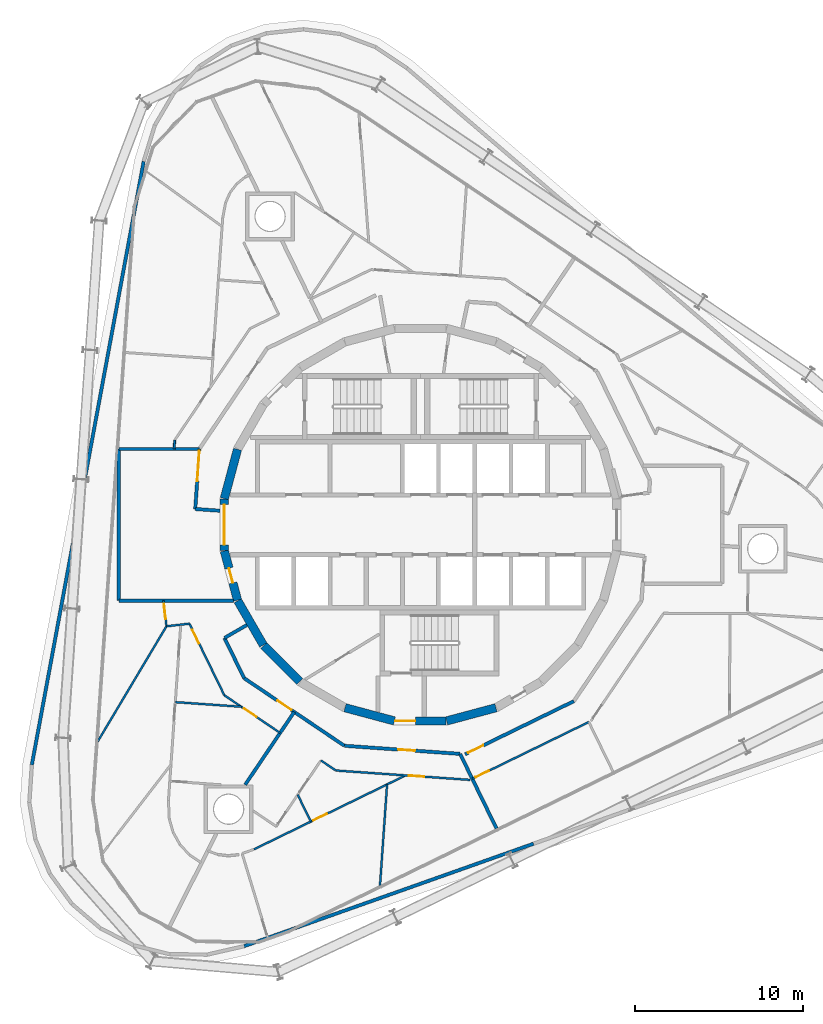
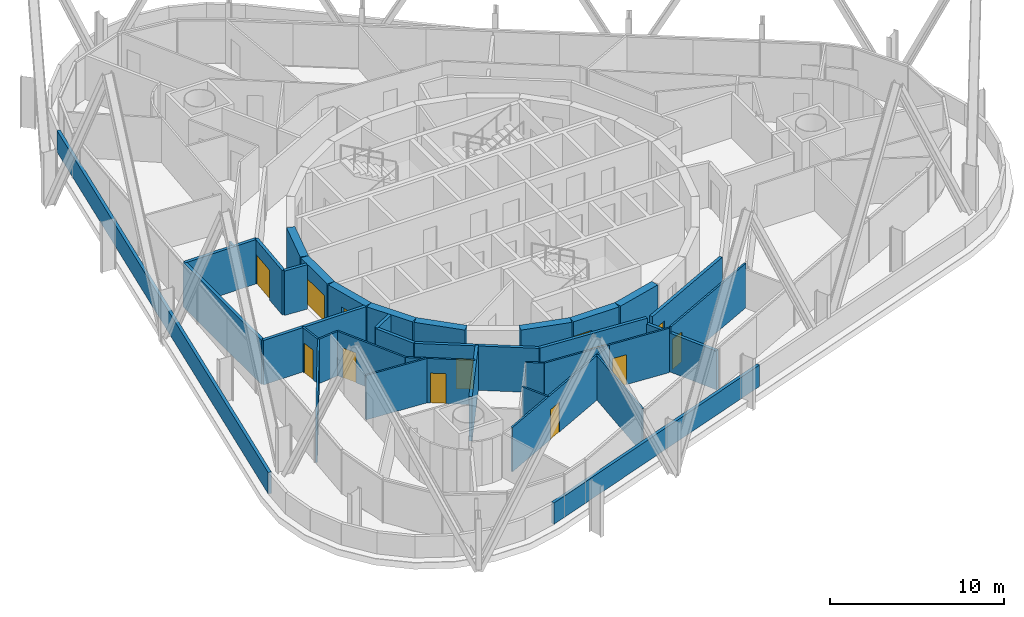
# One storey, part 12 of 18: 35 walls, 13 doors, 13 openings.
"""IFC4 building model written with IfcOpenShell, lengths in metres."""

from ifc_helpers import new_model, si_unit, direction, frame, frame_2d, origin, place, context, subcontext, project, spatial, rectangle, extrude, material, layer, layer_set, type_object, element, fill, save


model = new_model("IFC4")

# Units and contexts
model_context = context("Model", 3, precision=1e-05, world=origin(), true_north=direction((0.0, 1.0)))
body_context = subcontext(model_context, "Body", "Model", "MODEL_VIEW")
ifc_project = project(units=[si_unit("LENGTHUNIT", "METRE"), si_unit("AREAUNIT", "SQUARE_METRE"), si_unit("VOLUMEUNIT", "CUBIC_METRE"), si_unit("PLANEANGLEUNIT", "RADIAN"), si_unit("MASSUNIT", "GRAM", prefix="KILO")], contexts=[model_context])

# Site, building, storey
site_placement = place(None, origin())
site = spatial("IfcSite", under=ifc_project, at=site_placement, CompositionType="ELEMENT")
building_placement = place(site_placement, origin())
building = spatial("IfcBuilding", under=site, at=building_placement, Name="Spindle Arch Residences", CompositionType="ELEMENT")
storey_placement = place(building_placement, frame((0.0, 0.0, 188.39990234375)))
storey = spatial("IfcBuildingStorey", under=building, at=storey_placement, Name="L47", CompositionType="ELEMENT", Elevation=188.39990234375)

# Walls
ifc_material_1 = material(Name="Concrete C50/60", Category="concrete")
ifc_layer_1 = layer(ifc_material_1, 0.5)
ifc_layer_set_1 = layer_set([ifc_layer_1], Name="Core outline wall 500")
wall_type_1 = type_object("IfcWallType", Name="Core outline wall 500", PredefinedType="SHEAR", material=ifc_layer_set_1)
for number, where, z_axis, x_axis, name in (
    (1, (1.5498046875, -11.642822265625, 0.0), (0.0, 0.0, 1.0), (0.965948410781, 0.258734743916, 0.0), "Core outline wall 1"),
    (2, (-10.858154296875, 4.479248046875, 0.0), (0.0, 0.0, 1.0), (-0.258734743916, -0.965948410781, 0.0), "Core outline wall 17"),
):
    element("IfcWall", number, at=place(storey_placement, frame(where, z_axis=z_axis, x_axis=x_axis)), inside=storey, type_object=wall_type_1, Name=name, PredefinedType="SHEAR", context=body_context, shape_type="SweptSolid", body=[
        extrude(rectangle(XDim=3.03271484375, YDim=0.5, at=frame_2d((1.516357421875, 0.0))), origin(), (0.0, 0.0, 1.0), 3.1201171875),
    ])

# Wall, opening, door
wall_1_placement = place(storey_placement, frame((-11.647216796875, 1.516357421875, 0.0), z_axis=(0.0, 0.0, 1.0), x_axis=(0.0, -1.0, 0.0)))
wall_1 = element("IfcWall", 3, at=wall_1_placement, inside=storey, type_object=wall_type_1, Name="Core outline wall 18", PredefinedType="SHEAR", context=body_context, shape_type="SweptSolid", body=[
    extrude(rectangle(XDim=3.03271484375, YDim=0.5, at=frame_2d((1.516357421875, 0.0))), origin(), (0.0, 0.0, 1.0), 3.1201171875),
])
opening_1_placement = place(wall_1_placement, frame((0.31640625, 0.0, 0.0)))
opening_1 = element("IfcOpeningElement", 4, at=opening_1_placement, cuts=wall_1, Name="Opening R5A0-LE01", PredefinedType="OPENING", context=body_context, shape_type="SweptSolid", body=[
    extrude(rectangle(XDim=2.39990234375, YDim=2.10009765625, at=frame_2d((1.199951171875, 1.050048828125))), frame((0.0, 0.260009765625, 0.0), z_axis=(0.0, -1.0, 0.0), x_axis=(1.0, 0.0, 0.0)), (0.0, 0.0, 1.0), 0.52001953125),
])
ifc_material_2 = material(Name="Steel, fire-resisting door", Category="steel")
door_type_1 = type_object("IfcDoorType", Name="Lift lobby entrance door 2400x2100", OperationType="DOUBLE_DOOR_SINGLE_SWING", PredefinedType="DOOR", material=ifc_material_2)
door_1_placement = place(opening_1_placement, origin())
door_1 = element("IfcDoor", 5, at=door_1_placement, inside=storey, type_object=door_type_1, Name="Lift lobby entrance door R5A0-LE01", OperationType="DOUBLE_DOOR_SINGLE_SWING", OverallHeight=2.10009765625, OverallWidth=2.39990234375, PredefinedType="DOOR", context=body_context, shape_type="SweptSolid", body=[
    extrude(rectangle(XDim=2.39990234375, YDim=2.10009765625, at=frame_2d((1.199951171875, 1.050048828125))), frame((0.0, 0.02490234375, 0.0), z_axis=(0.0, -1.0, 0.0), x_axis=(1.0, 0.0, 0.0)), (0.0, 0.0, 1.0), 0.050048828125),
])
fill(opening_1, door_1)

wall_2_placement = place(storey_placement, frame((-11.642822265625, -1.5498046875, 0.0), z_axis=(0.0, 0.0, 1.0), x_axis=(0.258734743916, -0.965948410781, 0.0)))
wall_2 = element("IfcWall", 6, at=wall_2_placement, inside=storey, type_object=wall_type_1, Name="Core outline wall 19", PredefinedType="SHEAR", context=body_context, shape_type="SweptSolid", body=[
    extrude(rectangle(XDim=3.03271484375, YDim=0.5, at=frame_2d((1.516357421875, 0.0))), origin(), (0.0, 0.0, 1.0), 3.1201171875),
])
opening_2_placement = place(wall_2_placement, frame((1.06640625, 0.0, 0.0)))
opening_2 = element("IfcOpeningElement", 7, at=opening_2_placement, cuts=wall_2, Name="Opening R5A0-WD11", PredefinedType="OPENING", context=body_context, shape_type="SweptSolid", body=[
    extrude(rectangle(XDim=0.89990234375, YDim=2.10009765625, at=frame_2d((0.449951171875, 1.050048828125))), frame((0.0, 0.260009765625, 0.0), z_axis=(0.0, -1.0, 0.0), x_axis=(1.0, 0.0, 0.0)), (0.0, 0.0, 1.0), 0.52001953125),
])
ifc_material_3 = material(Name="Steel, fire-resisting door", Category="steel")
door_type_2 = type_object("IfcDoorType", Name="Service room door 900x2100", OperationType="SINGLE_SWING_LEFT", PredefinedType="DOOR", material=ifc_material_3)
door_2_placement = place(opening_2_placement, origin())
door_2 = element("IfcDoor", 8, at=door_2_placement, inside=storey, type_object=door_type_2, Name="Service room door R5A0-WD11", OperationType="SINGLE_SWING_LEFT", OverallHeight=2.10009765625, OverallWidth=0.89990234375, PredefinedType="DOOR", context=body_context, shape_type="SweptSolid", body=[
    extrude(rectangle(XDim=0.89990234375, YDim=2.10009765625, at=frame_2d((0.449951171875, 1.050048828125))), frame((0.0, 0.02490234375, 0.0), z_axis=(0.0, -1.0, 0.0), x_axis=(1.0, 0.0, 0.0)), (0.0, 0.0, 1.0), 0.050048828125),
])
fill(opening_2, door_2)

# Walls
wall_3_placement = place(storey_placement, frame((-10.84521484375, -4.510498046875, 0.0), z_axis=(0.0, 0.0, 1.0), x_axis=(0.500087131594, -0.865975092491, 0.0)))
element("IfcWall", 9, at=wall_3_placement, inside=storey, type_object=wall_type_1, Name="Core outline wall 20", PredefinedType="SHEAR", context=body_context, shape_type="SweptSolid", body=[
    extrude(rectangle(XDim=3.03271484375, YDim=0.5, at=frame_2d((1.516357421875, 0.0))), origin(), (0.0, 0.0, 1.0), 3.1201171875),
])
wall_4_placement = place(storey_placement, frame((-9.30810546875, -7.163818359375, 0.0), z_axis=(0.0, 0.0, 1.0), x_axis=(0.707106781187, -0.707106781187, 0.0)))
element("IfcWall", 10, at=wall_4_placement, inside=storey, type_object=wall_type_1, Name="Core outline wall 21", PredefinedType="SHEAR", context=body_context, shape_type="SweptSolid", body=[
    extrude(rectangle(XDim=3.032470703125, YDim=0.5, at=frame_2d((1.51611328125, 0.0))), origin(), (0.0, 0.0, 1.0), 3.1201171875),
])
wall_5_placement = place(storey_placement, frame((-4.479248046875, -10.858154296875, 0.0), z_axis=(0.0, 0.0, 1.0), x_axis=(0.965948410781, -0.258734743916, 0.0)))
element("IfcWall", 11, at=wall_5_placement, inside=storey, type_object=wall_type_1, Name="Core outline wall 23", PredefinedType="SHEAR", context=body_context, shape_type="SweptSolid", body=[
    extrude(rectangle(XDim=3.03271484375, YDim=0.5, at=frame_2d((1.516357421875, 0.0))), origin(), (0.0, 0.0, 1.0), 3.1201171875),
])

# Wall, opening, door
wall_6_placement = place(storey_placement, frame((-1.516357421875, -11.647216796875, 0.0), z_axis=(0.0, 0.0, 1.0), x_axis=(1.0, 0.0, 0.0)))
wall_6 = element("IfcWall", 12, at=wall_6_placement, inside=storey, type_object=wall_type_1, Name="Core outline wall 24", PredefinedType="SHEAR", context=body_context, shape_type="SweptSolid", body=[
    extrude(rectangle(XDim=3.03271484375, YDim=0.5, at=frame_2d((1.516357421875, 0.0))), origin(), (0.0, 0.0, 1.0), 3.1201171875),
])
opening_3_placement = place(wall_6_placement, frame((0.016357421875, 0.0, 0.0)))
opening_3 = element("IfcOpeningElement", 13, at=opening_3_placement, cuts=wall_6, Name="Opening R5A0-AD03", PredefinedType="OPENING", context=body_context, shape_type="SweptSolid", body=[
    extrude(rectangle(XDim=1.199951171875, YDim=2.10009765625, at=frame_2d((0.60009765625, 1.050048828125))), frame((0.0, 0.260009765625, 0.0), z_axis=(0.0, -1.0, 0.0), x_axis=(1.0, 0.0, 0.0)), (0.0, 0.0, 1.0), 0.52001953125),
])
ifc_material_4 = material(Name="Steel, fire-resisting door", Category="steel")
door_type_3 = type_object("IfcDoorType", Name="Stair airlock door 1200x2100", OperationType="SINGLE_SWING_LEFT", PredefinedType="DOOR", material=ifc_material_4)
door_3_placement = place(opening_3_placement, origin())
door_3 = element("IfcDoor", 14, at=door_3_placement, inside=storey, type_object=door_type_3, Name="Stair airlock door R5A0-AD03", OperationType="SINGLE_SWING_RIGHT", OverallHeight=2.10009765625, OverallWidth=1.199951171875, PredefinedType="DOOR", context=body_context, shape_type="SweptSolid", body=[
    extrude(rectangle(XDim=1.199951171875, YDim=2.10009765625, at=frame_2d((0.60009765625, 1.050048828125))), frame((0.0, 0.02490234375, 0.0), z_axis=(0.0, -1.0, 0.0), x_axis=(1.0, 0.0, 0.0)), (0.0, 0.0, 1.0), 0.050048828125),
])
fill(opening_3, door_3)

# Walls
ifc_material_5 = material(Name="Calcium silicate block, plastered")
ifc_layer_2 = layer(ifc_material_5, 0.199951171875)
ifc_layer_set_2 = layer_set([ifc_layer_2], Name="Corridor wall 200")
wall_type_2 = type_object("IfcWallType", Name="Corridor wall 200", PredefinedType="STANDARD", material=ifc_layer_set_2)
wall_7_placement = place(storey_placement, frame((-10.303466796875, -5.94873046875, 0.0), z_axis=(0.0, 0.0, 1.0), x_axis=(-0.866042588199, -0.499970234539, 0.0)))
element("IfcWall", 15, at=wall_7_placement, inside=storey, type_object=wall_type_2, Name="Corridor wall R5A0-W015", PredefinedType="STANDARD", context=body_context, shape_type="SweptSolid", body=[
    extrude(rectangle(XDim=1.53515625, YDim=0.199951171875, at=frame_2d((0.767578125, 0.0))), origin(), (0.0, 0.0, 1.0), 3.1201171875),
])
wall_8_placement = place(storey_placement, frame((-11.633056640625, -6.71630859375, 0.0), z_axis=(0.0, 0.0, 1.0), x_axis=(0.438322116278, -0.898817958422, 0.0)))
element("IfcWall", 16, at=wall_8_placement, inside=storey, type_object=wall_type_2, Name="Corridor wall R5A0-W016", PredefinedType="STANDARD", context=body_context, shape_type="SweptSolid", body=[
    extrude(rectangle(XDim=2.653564453125, YDim=0.199951171875, at=frame_2d((1.32666015625, 0.0))), origin(), (0.0, 0.0, 1.0), 3.1201171875),
])

# Wall, opening, door
wall_9_placement = place(storey_placement, frame((-10.469970703125, -9.101318359375, 0.0), z_axis=(0.0, 0.0, 1.0), x_axis=(0.829035841718, -0.559195469534, 0.0)))
wall_9 = element("IfcWall", 17, at=wall_9_placement, inside=storey, type_object=wall_type_2, Name="Corridor wall R5A0-W017", PredefinedType="STANDARD", context=body_context, shape_type="SweptSolid", body=[
    extrude(rectangle(XDim=7.18115234375, YDim=0.199951171875, at=frame_2d((3.590576171875, 0.0))), origin(), (0.0, 0.0, 1.0), 3.1201171875),
])
opening_4_placement = place(wall_9_placement, frame((2.390380859375, 0.0, 0.0)))
opening_4 = element("IfcOpeningElement", 18, at=opening_4_placement, cuts=wall_9, Name="Opening R5A0-FD04", PredefinedType="OPENING", context=body_context, shape_type="SweptSolid", body=[
    extrude(rectangle(XDim=1.0, YDim=2.10009765625, at=frame_2d((0.5, 1.050048828125))), frame((0.0, 0.10986328125, 0.0), z_axis=(0.0, -1.0, 0.0), x_axis=(1.0, 0.0, 0.0)), (0.0, 0.0, 1.0), 0.219970703125),
])
ifc_material_6 = material(Name="Timber, fire-resisting door set", Category="wood")
door_type_4 = type_object("IfcDoorType", Name="Flat entrance door 1000x2100", OperationType="NOTDEFINED", PredefinedType="DOOR", material=ifc_material_6)
door_4_placement = place(opening_4_placement, origin())
door_4 = element("IfcDoor", 19, at=door_4_placement, inside=storey, type_object=door_type_4, Name="Flat entrance door R5A0-FD04", OperationType="SINGLE_SWING_RIGHT", OverallHeight=2.10009765625, OverallWidth=1.0, PredefinedType="DOOR", context=body_context, shape_type="SweptSolid", body=[
    extrude(rectangle(XDim=1.0, YDim=2.10009765625, at=frame_2d((0.5, 1.050048828125))), frame((0.0, 0.02490234375, 0.0), z_axis=(0.0, -1.0, 0.0), x_axis=(1.0, 0.0, 0.0)), (0.0, 0.0, 1.0), 0.050048828125),
])
fill(opening_4, door_4)

wall_10_placement = place(storey_placement, frame((-4.5166015625, -13.116943359375, 0.0), z_axis=(0.0, 0.0, 1.0), x_axis=(0.997564669554, -0.069747616856, 0.0)))
wall_10 = element("IfcWall", 20, at=wall_10_placement, inside=storey, type_object=wall_type_2, Name="Corridor wall R5A0-W018", PredefinedType="STANDARD", context=body_context, shape_type="SweptSolid", body=[
    extrude(rectangle(XDim=6.88525390625, YDim=0.199951171875, at=frame_2d((3.442626953125, 0.0))), origin(), (0.0, 0.0, 1.0), 3.1201171875),
])
opening_5_placement = place(wall_10_placement, frame((3.199951171875, 0.0, 0.0)))
opening_5 = element("IfcOpeningElement", 21, at=opening_5_placement, cuts=wall_10, Name="Opening R5A0-FD05", PredefinedType="OPENING", context=body_context, shape_type="SweptSolid", body=[
    extrude(rectangle(XDim=1.0, YDim=2.10009765625, at=frame_2d((0.5, 1.050048828125))), frame((0.0, 0.10986328125, 0.0), z_axis=(0.0, -1.0, 0.0), x_axis=(1.0, 0.0, 0.0)), (0.0, 0.0, 1.0), 0.219970703125),
])
door_5_placement = place(opening_5_placement, origin())
door_5 = element("IfcDoor", 22, at=door_5_placement, inside=storey, type_object=door_type_4, Name="Flat entrance door R5A0-FD05", OperationType="SINGLE_SWING_LEFT", OverallHeight=2.10009765625, OverallWidth=1.0, PredefinedType="DOOR", context=body_context, shape_type="SweptSolid", body=[
    extrude(rectangle(XDim=1.0, YDim=2.10009765625, at=frame_2d((0.5, 1.050048828125))), frame((0.0, 0.02490234375, 0.0), z_axis=(0.0, -1.0, 0.0), x_axis=(1.0, 0.0, 0.0)), (0.0, 0.0, 1.0), 0.050048828125),
])
fill(opening_5, door_5)

wall_11_placement = place(storey_placement, frame((2.64697265625, -13.617919921875, 0.0), z_axis=(0.0, 0.0, 1.0), x_axis=(0.898796543751, 0.438366026218, 0.0)))
wall_11 = element("IfcWall", 23, at=wall_11_placement, inside=storey, type_object=wall_type_2, Name="Corridor wall R5A0-W019", PredefinedType="STANDARD", context=body_context, shape_type="SweptSolid", body=[
    extrude(rectangle(XDim=7.18115234375, YDim=0.199951171875, at=frame_2d((3.590576171875, 0.0))), origin(), (0.0, 0.0, 1.0), 3.1201171875),
])
opening_6_placement = place(wall_11_placement, frame((0.199951171875, 0.0, 0.0)))
opening_6 = element("IfcOpeningElement", 24, at=opening_6_placement, cuts=wall_11, Name="Opening R5A0-FD06", PredefinedType="OPENING", context=body_context, shape_type="SweptSolid", body=[
    extrude(rectangle(XDim=1.0, YDim=2.10009765625, at=frame_2d((0.5, 1.050048828125))), frame((0.0, 0.10986328125, 0.0), z_axis=(0.0, -1.0, 0.0), x_axis=(1.0, 0.0, 0.0)), (0.0, 0.0, 1.0), 0.219970703125),
])
door_6_placement = place(opening_6_placement, origin())
door_6 = element("IfcDoor", 25, at=door_6_placement, inside=storey, type_object=door_type_4, Name="Flat entrance door R5A0-FD06", OperationType="SINGLE_SWING_LEFT", OverallHeight=2.10009765625, OverallWidth=1.0, PredefinedType="DOOR", context=body_context, shape_type="SweptSolid", body=[
    extrude(rectangle(XDim=1.0, YDim=2.10009765625, at=frame_2d((0.5, 1.050048828125))), frame((0.0, 0.02490234375, 0.0), z_axis=(0.0, -1.0, 0.0), x_axis=(1.0, 0.0, 0.0)), (0.0, 0.0, 1.0), 0.050048828125),
])
fill(opening_6, door_6)

# Wall
ifc_material_7 = material(Name="Plasterboard on steel studs", Category="steel")
ifc_layer_3 = layer(ifc_material_7, 0.1201171875)
ifc_layer_set_3 = layer_set([ifc_layer_3], Name="Flat partition 120")
wall_type_3 = type_object("IfcWallType", Name="Flat partition 120", PredefinedType="PARTITIONING", material=ifc_layer_set_3)
wall_12_placement = place(storey_placement, frame((-14.585205078125, 5.022216796875, 0.0), z_axis=(0.0, 0.0, 1.0), x_axis=(-0.069490327804, -0.997582625321, 0.0)))
element("IfcWall", 26, at=wall_12_placement, inside=storey, type_object=wall_type_3, Name="Flat partition R5A0-W062", PredefinedType="PARTITIONING", context=body_context, shape_type="SweptSolid", body=[
    extrude(rectangle(XDim=0.5234375, YDim=0.1201171875, at=frame_2d((0.26171875, 0.0))), origin(), (0.0, 0.0, 1.0), 3.1201171875),
])

# Wall, opening, door
wall_13_placement = place(storey_placement, frame((-15.24951171875, -4.5, 0.0), z_axis=(0.0, 0.0, 1.0), x_axis=(0.1124919794, -0.99365263275, 0.0)))
wall_13 = element("IfcWall", 27, at=wall_13_placement, inside=storey, type_object=wall_type_3, Name="Flat partition R5A0-W072", PredefinedType="PARTITIONING", context=body_context, shape_type="SweptSolid", body=[
    extrude(rectangle(XDim=1.534423828125, YDim=0.1201171875, at=frame_2d((0.76708984375, 0.0))), origin(), (0.0, 0.0, 1.0), 3.1201171875),
])
opening_7_placement = place(wall_13_placement, frame((0.199951171875, 0.0, 0.0)))
opening_7 = element("IfcOpeningElement", 28, at=opening_7_placement, cuts=wall_13, Name="Opening R5A0-ID14", PredefinedType="OPENING", context=body_context, shape_type="SweptSolid", body=[
    extrude(rectangle(XDim=0.89990234375, YDim=2.10009765625, at=frame_2d((0.449951171875, 1.050048828125))), frame((0.0, 0.070068359375, 0.0), z_axis=(0.0, -1.0, 0.0), x_axis=(1.0, 0.0, 0.0)), (0.0, 0.0, 1.0), 0.14013671875),
])
ifc_material_8 = material(Name="Timber door set", Category="wood")
door_type_5 = type_object("IfcDoorType", Name="Room door 900x2100", OperationType="NOTDEFINED", PredefinedType="DOOR", material=ifc_material_8)
door_7_placement = place(opening_7_placement, origin())
door_7 = element("IfcDoor", 29, at=door_7_placement, inside=storey, type_object=door_type_5, Name="Room door R5A0-ID14", OperationType="SINGLE_SWING_RIGHT", OverallHeight=2.10009765625, OverallWidth=0.89990234375, PredefinedType="DOOR", context=body_context, shape_type="SweptSolid", body=[
    extrude(rectangle(XDim=0.89990234375, YDim=2.10009765625, at=frame_2d((0.449951171875, 1.050048828125))), frame((0.0, 0.02490234375, 0.0), z_axis=(0.0, -1.0, 0.0), x_axis=(1.0, 0.0, 0.0)), (0.0, 0.0, 1.0), 0.050048828125),
])
fill(opening_7, door_7)

# Wall
wall_14_placement = place(storey_placement, frame((-15.076904296875, -6.024658203125, 0.0), z_axis=(0.0, 0.0, 1.0), x_axis=(0.993646958109, 0.112542092746, 0.0)))
element("IfcWall", 30, at=wall_14_placement, inside=storey, type_object=wall_type_3, Name="Flat partition R5A0-W073", PredefinedType="PARTITIONING", context=body_context, shape_type="SweptSolid", body=[
    extrude(rectangle(XDim=1.37109375, YDim=0.1201171875, at=frame_2d((0.685546875, 0.0))), origin(), (0.0, 0.0, 1.0), 3.1201171875),
])

# Wall, opening, door
wall_15_placement = place(storey_placement, frame((-13.714599609375, -5.870361328125, 0.0), z_axis=(0.0, 0.0, 1.0), x_axis=(0.438372766482, -0.89879325632, 0.0)))
wall_15 = element("IfcWall", 31, at=wall_15_placement, inside=storey, type_object=wall_type_3, Name="Flat partition R5A0-W074", PredefinedType="PARTITIONING", context=body_context, shape_type="SweptSolid", body=[
    extrude(rectangle(XDim=4.728271484375, YDim=0.1201171875, at=frame_2d((2.3642578125, 0.0))), origin(), (0.0, 0.0, 1.0), 3.1201171875),
])
opening_8_placement = place(wall_15_placement, frame((0.39990234375, 0.0, 0.0)))
opening_8 = element("IfcOpeningElement", 32, at=opening_8_placement, cuts=wall_15, Name="Opening R5A0-ID15", PredefinedType="OPENING", context=body_context, shape_type="SweptSolid", body=[
    extrude(rectangle(XDim=0.89990234375, YDim=2.10009765625, at=frame_2d((0.449951171875, 1.050048828125))), frame((0.0, 0.070068359375, 0.0), z_axis=(0.0, -1.0, 0.0), x_axis=(1.0, 0.0, 0.0)), (0.0, 0.0, 1.0), 0.14013671875),
])
door_8_placement = place(opening_8_placement, origin())
door_8 = element("IfcDoor", 33, at=door_8_placement, inside=storey, type_object=door_type_5, Name="Room door R5A0-ID15", OperationType="SINGLE_SWING_RIGHT", OverallHeight=2.10009765625, OverallWidth=0.89990234375, PredefinedType="DOOR", context=body_context, shape_type="SweptSolid", body=[
    extrude(rectangle(XDim=0.89990234375, YDim=2.10009765625, at=frame_2d((0.449951171875, 1.050048828125))), frame((0.0, 0.02490234375, 0.0), z_axis=(0.0, -1.0, 0.0), x_axis=(1.0, 0.0, 0.0)), (0.0, 0.0, 1.0), 0.050048828125),
])
fill(opening_8, door_8)

wall_16_placement = place(storey_placement, frame((-11.641845703125, -10.1201171875, 0.0), z_axis=(0.0, 0.0, 1.0), x_axis=(0.829018066952, -0.559221820629, 0.0)))
wall_16 = element("IfcWall", 34, at=wall_16_placement, inside=storey, type_object=wall_type_3, Name="Flat partition R5A0-W075", PredefinedType="PARTITIONING", context=body_context, shape_type="SweptSolid", body=[
    extrude(rectangle(XDim=3.992431640625, YDim=0.1201171875, at=frame_2d((1.99609375, 0.0))), origin(), (0.0, 0.0, 1.0), 3.1201171875),
])
opening_9_placement = place(wall_16_placement, frame((1.4169921875, 0.0, 0.0)))
opening_9 = element("IfcOpeningElement", 35, at=opening_9_placement, cuts=wall_16, Name="Opening R5A0-ID16", PredefinedType="OPENING", context=body_context, shape_type="SweptSolid", body=[
    extrude(rectangle(XDim=0.89990234375, YDim=2.10009765625, at=frame_2d((0.449951171875, 1.050048828125))), frame((0.0, 0.070068359375, 0.0), z_axis=(0.0, -1.0, 0.0), x_axis=(1.0, 0.0, 0.0)), (0.0, 0.0, 1.0), 0.14013671875),
])
door_9_placement = place(opening_9_placement, origin())
door_9 = element("IfcDoor", 36, at=door_9_placement, inside=storey, type_object=door_type_5, Name="Room door R5A0-ID16", OperationType="SINGLE_SWING_RIGHT", OverallHeight=2.10009765625, OverallWidth=0.89990234375, PredefinedType="DOOR", context=body_context, shape_type="SweptSolid", body=[
    extrude(rectangle(XDim=0.89990234375, YDim=2.10009765625, at=frame_2d((0.449951171875, 1.050048828125))), frame((0.0, 0.02490234375, 0.0), z_axis=(0.0, -1.0, 0.0), x_axis=(1.0, 0.0, 0.0)), (0.0, 0.0, 1.0), 0.050048828125),
])
fill(opening_9, door_9)

# Walls
wall_17_placement = place(storey_placement, frame((-19.156494140625, -12.86328125, 0.0), z_axis=(0.0, 0.0, 1.0), x_axis=(0.512316386407, 0.858796786335, 0.0)))
element("IfcWall", 37, at=wall_17_placement, inside=storey, type_object=wall_type_3, Name="Flat partition R5A0-W076", PredefinedType="PARTITIONING", context=body_context, shape_type="SweptSolid", body=[
    extrude(rectangle(XDim=7.963134765625, YDim=0.1201171875, at=frame_2d((3.9814453125, 0.0))), origin(), (0.0, 0.0, 1.0), 3.1201171875),
])
wall_18_placement = place(storey_placement, frame((-14.550537109375, -10.526611328125, 0.0), z_axis=(0.0, 0.0, 1.0), x_axis=(0.997564247633, -0.069753651118, 0.0)))
element("IfcWall", 38, at=wall_18_placement, inside=storey, type_object=wall_type_3, Name="Flat partition R5A0-W078", PredefinedType="PARTITIONING", context=body_context, shape_type="SweptSolid", body=[
    extrude(rectangle(XDim=3.927001953125, YDim=0.1201171875, at=frame_2d((1.96337890625, 0.0))), origin(), (0.0, 0.0, 1.0), 3.1201171875),
])
wall_19_placement = place(storey_placement, frame((-5.911865234375, -13.985107421875, 0.0), z_axis=(0.0, 0.0, 1.0), x_axis=(0.829027978444, -0.559207127062, 0.0)))
element("IfcWall", 39, at=wall_19_placement, inside=storey, type_object=wall_type_3, Name="Flat partition R5A0-W088", PredefinedType="PARTITIONING", context=body_context, shape_type="SweptSolid", body=[
    extrude(rectangle(XDim=1.0732421875, YDim=0.1201171875, at=frame_2d((0.53662109375, 0.0))), origin(), (0.0, 0.0, 1.0), 3.1201171875),
])

# Wall, opening, door
wall_20_placement = place(storey_placement, frame((-5.022216796875, -14.585205078125, 0.0), z_axis=(0.0, 0.0, 1.0), x_axis=(0.997565118395, -0.069741197017, 0.0)))
wall_20 = element("IfcWall", 40, at=wall_20_placement, inside=storey, type_object=wall_type_3, Name="Flat partition R5A0-W089", PredefinedType="PARTITIONING", context=body_context, shape_type="SweptSolid", body=[
    extrude(rectangle(XDim=7.985107421875, YDim=0.1201171875, at=frame_2d((3.99267578125, 0.0))), origin(), (0.0, 0.0, 1.0), 3.1201171875),
])
opening_10_placement = place(wall_20_placement, frame((4.346435546875, 0.0, 0.0)))
opening_10 = element("IfcOpeningElement", 41, at=opening_10_placement, cuts=wall_20, Name="Opening R5A0-ID21", PredefinedType="OPENING", context=body_context, shape_type="SweptSolid", body=[
    extrude(rectangle(XDim=0.89990234375, YDim=2.10009765625, at=frame_2d((0.449951171875, 1.050048828125))), frame((0.0, 0.070068359375, 0.0), z_axis=(0.0, -1.0, 0.0), x_axis=(1.0, 0.0, 0.0)), (0.0, 0.0, 1.0), 0.14013671875),
])
door_10_placement = place(opening_10_placement, origin())
door_10 = element("IfcDoor", 42, at=door_10_placement, inside=storey, type_object=door_type_5, Name="Room door R5A0-ID21", OperationType="SINGLE_SWING_LEFT", OverallHeight=2.10009765625, OverallWidth=0.89990234375, PredefinedType="DOOR", context=body_context, shape_type="SweptSolid", body=[
    extrude(rectangle(XDim=0.89990234375, YDim=2.10009765625, at=frame_2d((0.449951171875, 1.050048828125))), frame((0.0, 0.02490234375, 0.0), z_axis=(0.0, -1.0, 0.0), x_axis=(1.0, 0.0, 0.0)), (0.0, 0.0, 1.0), 0.050048828125),
])
fill(opening_10, door_10)

# Wall
wall_21_placement = place(storey_placement, frame((-6.509521484375, -17.617431640625, 0.0), z_axis=(0.0, 0.0, 1.0), x_axis=(-0.438380229518, 0.898789616299, 0.0)))
element("IfcWall", 43, at=wall_21_placement, inside=storey, type_object=wall_type_3, Name="Flat partition R5A0-W094", PredefinedType="PARTITIONING", context=body_context, shape_type="SweptSolid", body=[
    extrude(rectangle(XDim=1.773193359375, YDim=0.1201171875, at=frame_2d((0.88671875, 0.0))), origin(), (0.0, 0.0, 1.0), 3.1201171875),
])

# Wall, opening, door
wall_22_placement = place(storey_placement, frame((-9.886474609375, -19.264404296875, 0.0), z_axis=(0.0, 0.0, 1.0), x_axis=(0.898796326112, 0.43836647245, 0.0)))
wall_22 = element("IfcWall", 44, at=wall_22_placement, inside=storey, type_object=wall_type_3, Name="Flat partition R5A0-W096", PredefinedType="PARTITIONING", context=body_context, shape_type="SweptSolid", body=[
    extrude(rectangle(XDim=10.01416015625, YDim=0.1201171875, at=frame_2d((5.007080078125, 0.0))), origin(), (0.0, 0.0, 1.0), 3.1201171875),
])
opening_11_placement = place(wall_22_placement, frame((3.9169921875, 0.0, 0.0)))
opening_11 = element("IfcOpeningElement", 45, at=opening_11_placement, cuts=wall_22, Name="Opening R5A0-ID22", PredefinedType="OPENING", context=body_context, shape_type="SweptSolid", body=[
    extrude(rectangle(XDim=0.89990234375, YDim=2.10009765625, at=frame_2d((0.449951171875, 1.050048828125))), frame((0.0, 0.070068359375, 0.0), z_axis=(0.0, -1.0, 0.0), x_axis=(1.0, 0.0, 0.0)), (0.0, 0.0, 1.0), 0.14013671875),
])
door_11_placement = place(opening_11_placement, origin())
door_11 = element("IfcDoor", 46, at=door_11_placement, inside=storey, type_object=door_type_5, Name="Room door R5A0-ID22", OperationType="SINGLE_SWING_LEFT", OverallHeight=2.10009765625, OverallWidth=0.89990234375, PredefinedType="DOOR", context=body_context, shape_type="SweptSolid", body=[
    extrude(rectangle(XDim=0.89990234375, YDim=2.10009765625, at=frame_2d((0.449951171875, 1.050048828125))), frame((0.0, 0.02490234375, 0.0), z_axis=(0.0, -1.0, 0.0), x_axis=(1.0, 0.0, 0.0)), (0.0, 0.0, 1.0), 0.050048828125),
])
fill(opening_11, door_11)

# Wall
wall_23_placement = place(storey_placement, frame((-2.402587890625, -21.39990234375, 0.0), z_axis=(0.0, 0.0, 1.0), x_axis=(0.069729998801, 0.997565901215, 0.0)))
element("IfcWall", 47, at=wall_23_placement, inside=storey, type_object=wall_type_3, Name="Flat partition R5A0-W097", PredefinedType="PARTITIONING", context=body_context, shape_type="SweptSolid", body=[
    extrude(rectangle(XDim=6.004638671875, YDim=0.1201171875, at=frame_2d((3.00244140625, 0.0))), origin(), (0.0, 0.0, 1.0), 3.1201171875),
])

# Wall, opening, door
wall_24_placement = place(storey_placement, frame((3.07421875, -15.078369140625, 0.0), z_axis=(0.0, 0.0, 1.0), x_axis=(0.898800770739, 0.438357359377, 0.0)))
wall_24 = element("IfcWall", 48, at=wall_24_placement, inside=storey, type_object=wall_type_3, Name="Flat partition R5A0-W098", PredefinedType="PARTITIONING", context=body_context, shape_type="SweptSolid", body=[
    extrude(rectangle(XDim=7.693603515625, YDim=0.1201171875, at=frame_2d((3.8466796875, 0.0))), origin(), (0.0, 0.0, 1.0), 3.1201171875),
])
opening_12_placement = place(wall_24_placement, frame((0.199951171875, 0.0, 0.0)))
opening_12 = element("IfcOpeningElement", 49, at=opening_12_placement, cuts=wall_24, Name="Opening R5A0-ID24", PredefinedType="OPENING", context=body_context, shape_type="SweptSolid", body=[
    extrude(rectangle(XDim=0.89990234375, YDim=2.10009765625, at=frame_2d((0.449951171875, 1.050048828125))), frame((0.0, 0.070068359375, 0.0), z_axis=(0.0, -1.0, 0.0), x_axis=(1.0, 0.0, 0.0)), (0.0, 0.0, 1.0), 0.14013671875),
])
door_12_placement = place(opening_12_placement, origin())
door_12 = element("IfcDoor", 50, at=door_12_placement, inside=storey, type_object=door_type_5, Name="Room door R5A0-ID24", OperationType="SINGLE_SWING_LEFT", OverallHeight=2.10009765625, OverallWidth=0.89990234375, PredefinedType="DOOR", context=body_context, shape_type="SweptSolid", body=[
    extrude(rectangle(XDim=0.89990234375, YDim=2.10009765625, at=frame_2d((0.449951171875, 1.050048828125))), frame((0.0, 0.02490234375, 0.0), z_axis=(0.0, -1.0, 0.0), x_axis=(1.0, 0.0, 0.0)), (0.0, 0.0, 1.0), 0.050048828125),
])
fill(opening_12, door_12)

# Walls
ifc_material_9 = material(Name="Calcium silicate block, plastered")
ifc_layer_4 = layer(ifc_material_9, 0.199951171875)
ifc_layer_set_4 = layer_set([ifc_layer_4], Name="Flat party wall 200")
wall_type_4 = type_object("IfcWallType", Name="Flat party wall 200", PredefinedType="STANDARD", material=ifc_layer_set_4)
wall_25_placement = place(storey_placement, frame((-10.40673828125, -15.430419921875, 0.0), z_axis=(0.0, 0.0, 1.0), x_axis=(0.559038328133, 0.829141813973, 0.0)))
element("IfcWall", 51, at=wall_25_placement, inside=storey, type_object=wall_type_4, Name="Flat party wall R5A0-W033", PredefinedType="STANDARD", context=body_context, shape_type="SweptSolid", body=[
    extrude(rectangle(XDim=5.211669921875, YDim=0.199951171875, at=frame_2d((2.60595703125, 0.0))), origin(), (0.0, 0.0, 1.0), 3.1201171875),
])
ifc_material_10 = material(Name="Calcium silicate block, plastered")
ifc_layer_5 = layer(ifc_material_10, 0.199951171875)
ifc_layer_set_5 = layer_set([ifc_layer_5], Name="Flat party wall 200 under beam 2730")
wall_type_5 = type_object("IfcWallType", Name="Flat party wall 200 under beam 2730", PredefinedType="STANDARD", material=ifc_layer_set_5)
wall_26_placement = place(storey_placement, frame((4.512451171875, -18.027099609375, 0.0), z_axis=(0.0, 0.0, 1.0), x_axis=(-0.438374835386, 0.898792247241, 0.0)))
element("IfcWall", 52, at=wall_26_placement, inside=storey, type_object=wall_type_5, Name="Flat party wall R5A0-W035", PredefinedType="STANDARD", context=body_context, shape_type="SweptSolid", body=[
    extrude(rectangle(XDim=4.9287109375, YDim=0.199951171875, at=frame_2d((2.46435546875, 0.0))), origin(), (0.0, 0.0, 1.0), 2.72998046875),
])

# Wall, opening, door
ifc_material_11 = material(Name="Calcium silicate block, plastered")
ifc_layer_6 = layer(ifc_material_11, 0.199951171875)
ifc_layer_set_6 = layer_set([ifc_layer_6], Name="Lift lobby bay wall 200")
wall_type_6 = type_object("IfcWallType", Name="Lift lobby bay wall 200", PredefinedType="STANDARD", material=ifc_layer_set_6)
wall_27_placement = place(storey_placement, frame((-13.1181640625, 4.5, 0.0), z_axis=(0.0, 0.0, 1.0), x_axis=(-0.069746872611, -0.99756472159, 0.0)))
wall_27 = element("IfcWall", 53, at=wall_27_placement, inside=storey, type_object=wall_type_6, Name="Lift lobby bay wall R5A0-W008", PredefinedType="STANDARD", context=body_context, shape_type="SweptSolid", body=[
    extrude(rectangle(XDim=3.573974609375, YDim=0.199951171875, at=frame_2d((1.787109375, 0.0))), origin(), (0.0, 0.0, 1.0), 3.1201171875),
])
opening_13_placement = place(wall_27_placement, frame((0.114990234375, 0.0, 0.0)))
opening_13 = element("IfcOpeningElement", 54, at=opening_13_placement, cuts=wall_27, Name="Opening R5A0-LB01", PredefinedType="OPENING", context=body_context, shape_type="SweptSolid", body=[
    extrude(rectangle(XDim=1.800048828125, YDim=2.10009765625, at=frame_2d((0.89990234375, 1.050048828125))), frame((0.0, 0.10986328125, 0.0), z_axis=(0.0, -1.0, 0.0), x_axis=(1.0, 0.0, 0.0)), (0.0, 0.0, 1.0), 0.219970703125),
])
ifc_material_12 = material(Name="Steel, fire-resisting door", Category="steel")
door_type_6 = type_object("IfcDoorType", Name="Lift lobby bay door 1800x2100", OperationType="NOTDEFINED", PredefinedType="DOOR", material=ifc_material_12)
door_13_placement = place(opening_13_placement, origin())
door_13 = element("IfcDoor", 55, at=door_13_placement, inside=storey, type_object=door_type_6, Name="Lift lobby bay door R5A0-LB01", OperationType="DOUBLE_DOOR_SINGLE_SWING", OverallHeight=2.10009765625, OverallWidth=1.800048828125, PredefinedType="DOOR", context=body_context, shape_type="SweptSolid", body=[
    extrude(rectangle(XDim=1.800048828125, YDim=2.10009765625, at=frame_2d((0.89990234375, 1.050048828125))), frame((0.0, 0.02490234375, 0.0), z_axis=(0.0, -1.0, 0.0), x_axis=(1.0, 0.0, 0.0)), (0.0, 0.0, 1.0), 0.050048828125),
])
fill(opening_13, door_13)

# Walls
wall_28_placement = place(storey_placement, frame((-13.367431640625, 0.934814453125, 0.0), z_axis=(0.0, 0.0, 1.0), x_axis=(0.997553656289, -0.069904955655, 0.0)))
element("IfcWall", 56, at=wall_28_placement, inside=storey, type_object=wall_type_6, Name="Lift lobby bay wall R5A0-W009", PredefinedType="STANDARD", context=body_context, shape_type="SweptSolid", body=[
    extrude(rectangle(XDim=1.473876953125, YDim=0.199951171875, at=frame_2d((0.73681640625, 0.0))), origin(), (0.0, 0.0, 1.0), 3.1201171875),
])
wall_29_placement = place(storey_placement, frame((-13.1181640625, 4.5, 0.0), z_axis=(0.0, 0.0, 1.0), x_axis=(-1.0, 0.0, 0.0)))
element("IfcWall", 57, at=wall_29_placement, inside=storey, type_object=wall_type_6, Name="Lift lobby bay wall R5A0-W021", PredefinedType="STANDARD", context=body_context, shape_type="SweptSolid", body=[
    extrude(rectangle(XDim=4.78173828125, YDim=0.199951171875, at=frame_2d((2.390869140625, 0.0))), origin(), (0.0, 0.0, 1.0), 3.1201171875),
])
wall_30_placement = place(storey_placement, frame((-17.89990234375, 4.5, 0.0), z_axis=(0.0, 0.0, 1.0), x_axis=(0.0, -1.0, 0.0)))
element("IfcWall", 58, at=wall_30_placement, inside=storey, type_object=wall_type_6, Name="Lift lobby bay wall R5A0-W022", PredefinedType="STANDARD", context=body_context, shape_type="SweptSolid", body=[
    extrude(rectangle(XDim=9.0, YDim=0.199951171875, at=frame_2d((4.5, 0.0))), origin(), (0.0, 0.0, 1.0), 3.1201171875),
])
wall_31_placement = place(storey_placement, frame((-17.89990234375, -4.5, 0.0), z_axis=(0.0, 0.0, 1.0), x_axis=(1.0, 0.0, 0.0)))
element("IfcWall", 59, at=wall_31_placement, inside=storey, type_object=wall_type_6, Name="Lift lobby bay wall R5A0-W023", PredefinedType="STANDARD", context=body_context, shape_type="SweptSolid", body=[
    extrude(rectangle(XDim=6.78857421875, YDim=0.199951171875, at=frame_2d((3.394287109375, 0.0))), origin(), (0.0, 0.0, 1.0), 3.1201171875),
])
ifc_material_13 = material(Name="Concrete C40/50", Category="concrete")
ifc_layer_7 = layer(ifc_material_13, 0.199951171875)
ifc_layer_set_7 = layer_set([ifc_layer_7], Name="Roof parapet 1500")
wall_type_7 = type_object("IfcWallType", Name="Roof parapet 1500", PredefinedType="PARAPET", material=ifc_layer_set_7)
wall_32_placement = place(storey_placement, frame((6.703857421875, -18.930908203125, 0.030029296875), z_axis=(0.0, 0.0, 1.0), x_axis=(-0.942641899569, -0.33380570573, 0.0)))
element("IfcWall", 60, at=wall_32_placement, inside=storey, type_object=wall_type_7, Name="Roof parapet L46 1.1", PredefinedType="PARAPET", context=body_context, shape_type="SweptSolid", body=[
    extrude(rectangle(XDim=18.21435546875, YDim=0.199951171875, at=frame_2d((9.107177734375, 0.0))), origin(), (0.0, 0.0, 1.0), 1.5),
])
wall_33_placement = place(storey_placement, frame((-23.06591796875, -14.24951171875, 0.030029296875), z_axis=(0.0, 0.0, 1.0), x_axis=(0.182236609877, 0.983254706585, 0.0)))
element("IfcWall", 61, at=wall_33_placement, inside=storey, type_object=wall_type_7, Name="Roof parapet L46 1.11", PredefinedType="PARAPET", context=body_context, shape_type="SweptSolid", body=[
    extrude(rectangle(XDim=36.428955078125, YDim=0.199951171875, at=frame_2d((18.21435546875, 0.0))), origin(), (0.0, 0.0, 1.0), 1.5),
])

save(model, "model.ifc")
